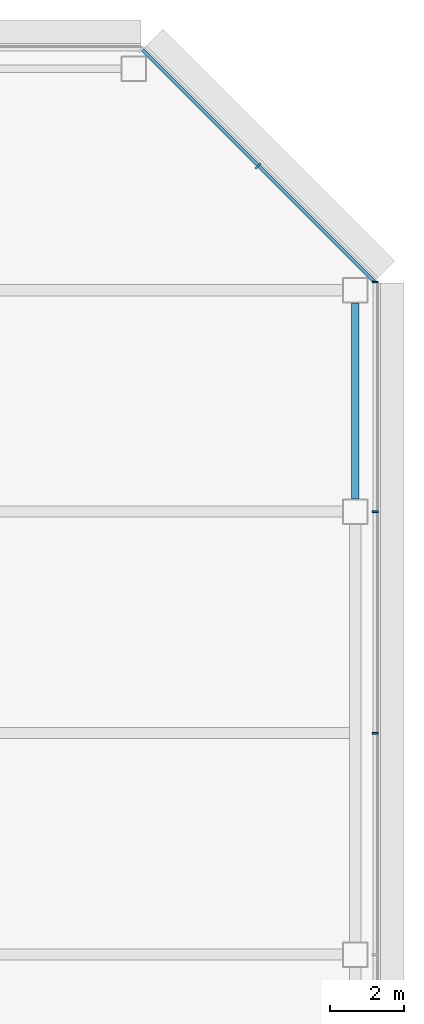
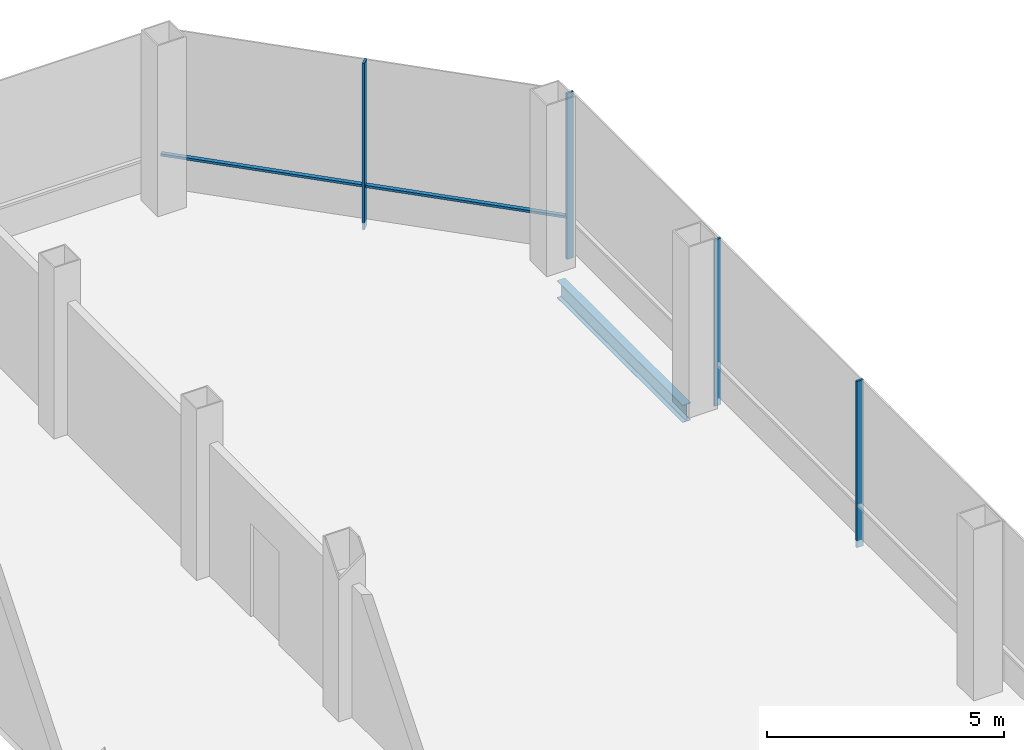
# One storey, part 17 of 26: 5 members, 1 beam, 2 elements without a shape of their own.
"""IFC4 building model written with IfcOpenShell, lengths in metres."""

from ifc_helpers import new_model, si_unit, direction, frame, origin, origin_2d, place, context, subcontext, project, spatial, rectangle, i_section, extrude, material, material_profile, profile_set, type_object, element, aggregate, save


model = new_model("IFC4")

# Units and contexts
model_context = context("Model", 3, precision=1e-05, world=origin(), true_north=direction((0.0, 1.0)))
body_context = subcontext(model_context, "Body", "Model", "MODEL_VIEW")
ifc_project = project(units=[si_unit("LENGTHUNIT", "METRE"), si_unit("AREAUNIT", "SQUARE_METRE"), si_unit("VOLUMEUNIT", "CUBIC_METRE"), si_unit("PLANEANGLEUNIT", "RADIAN"), si_unit("MASSUNIT", "GRAM", prefix="KILO")], contexts=[model_context])

# Site, building, storey
site_placement = place(None, origin())
site = spatial("IfcSite", under=ifc_project, at=site_placement, CompositionType="ELEMENT")
building_placement = place(site_placement, origin())
building = spatial("IfcBuilding", under=site, at=building_placement, Name="Sorahane Residences", CompositionType="ELEMENT")
storey_placement = place(building_placement, frame((0.0, 0.0, 181.60009765625)))
storey = spatial("IfcBuildingStorey", under=building, at=storey_placement, Name="L42", CompositionType="ELEMENT", Elevation=181.60009765625)

# Curtain wall, members
ifc_material_1 = material(Name="Dark low-e glass and black anodised aluminium", Category="aluminium")
curtain_wall_type_1 = type_object("IfcCurtainWallType", Name="Curtain wall CW-1 Typical unitised wall", PredefinedType="NOTDEFINED", material=ifc_material_1)
curtain_wall_1_placement = place(storey_placement, origin())
curtain_wall_1 = element("IfcCurtainWall", 1, at=curtain_wall_1_placement, inside=storey, type_object=curtain_wall_type_1, Name="CW-1 curtain wall L42 E1", PredefinedType="NOTDEFINED")
ifc_material_2 = material(Name="Black anodised aluminium", Category="aluminium")
ifc_material_profile_1 = material_profile(ifc_material_2, rectangle(XDim=0.159912109375, YDim=0.050048828125, at=origin_2d()), Name="Curtain wall mullion CW-1 black anodised aluminium 50x160")
ifc_profile_set_1 = profile_set([ifc_material_profile_1], Name="Black anodised aluminium")
member_type_1 = type_object("IfcMemberType", Name="Curtain wall mullion CW-1 black anodised aluminium 50x160", PredefinedType="MULLION", material=ifc_profile_set_1)
member_1_placement = place(storey_placement, frame((60.5400390625, 30.0, -0.18017578125), z_axis=(0.0, 0.0, 1.0), x_axis=(1.0, 0.0, 0.0)))
member_1 = element("IfcMember", 2, at=member_1_placement, type_object=member_type_1, Name="CW-1 mullion L42 E1.5", PredefinedType="MULLION", context=body_context, shape_type="SweptSolid", body=[
    extrude(rectangle(XDim=0.159912109375, YDim=0.050048828125, at=origin_2d()), origin(), (0.0, 0.0, 1.0), 4.280029296875),
])
member_2_placement = place(storey_placement, frame((60.5400390625, 36.0, -0.18017578125), z_axis=(0.0, 0.0, 1.0), x_axis=(1.0, 0.0, 0.0)))
member_2 = element("IfcMember", 3, at=member_2_placement, type_object=member_type_1, Name="CW-1 mullion L42 E1.6", PredefinedType="MULLION", context=body_context, shape_type="SweptSolid", body=[
    extrude(rectangle(XDim=0.159912109375, YDim=0.050048828125, at=origin_2d()), origin(), (0.0, 0.0, 1.0), 4.280029296875),
])
member_3_placement = place(storey_placement, frame((60.5400390625, 42.2236328125, -0.18017578125), z_axis=(0.0, 0.0, 1.0), x_axis=(1.0, 0.0, 0.0)))
member_3 = element("IfcMember", 4, at=member_3_placement, type_object=member_type_1, Name="CW-1 mullion L42 E1.7", PredefinedType="MULLION", context=body_context, shape_type="SweptSolid", body=[
    extrude(rectangle(XDim=0.159912109375, YDim=0.050048828125, at=origin_2d()), origin(), (0.0, 0.0, 1.0), 4.280029296875),
])
aggregate(curtain_wall_1, [member_1, member_2, member_3])

ifc_material_3 = material(Name="Dark low-e glass and black anodised aluminium", Category="aluminium")
curtain_wall_type_2 = type_object("IfcCurtainWallType", Name="Curtain wall CW-2 Chamfer unitised wall", PredefinedType="NOTDEFINED", material=ifc_material_3)
curtain_wall_2_placement = place(storey_placement, origin())
curtain_wall_2 = element("IfcCurtainWall", 5, at=curtain_wall_2_placement, inside=storey, type_object=curtain_wall_type_2, Name="CW-2 curtain wall L42 NE1", PredefinedType="NOTDEFINED")
ifc_material_4 = material(Name="Black anodised aluminium", Category="aluminium")
ifc_material_profile_2 = material_profile(ifc_material_4, rectangle(XDim=0.199951171875, YDim=0.050048828125, at=origin_2d()), Name="Curtain wall mullion CW-2 black anodised aluminium 50x200")
ifc_profile_set_2 = profile_set([ifc_material_profile_2], Name="Black anodised aluminium")
member_type_2 = type_object("IfcMemberType", Name="Curtain wall mullion CW-2 black anodised aluminium 50x200", PredefinedType="MULLION", material=ifc_profile_set_2)
member_4_placement = place(storey_placement, frame((57.36767578125, 45.36767578125, -0.18017578125), z_axis=(0.0, 0.0, 1.0), x_axis=(0.707106781187, 0.707106781187, 0.0)))
member_4 = element("IfcMember", 6, at=member_4_placement, type_object=member_type_2, Name="CW-2 mullion L42 NE1.2", PredefinedType="MULLION", context=body_context, shape_type="SweptSolid", body=[
    extrude(rectangle(XDim=0.199951171875, YDim=0.050048828125, at=origin_2d()), origin(), (0.0, 0.0, 1.0), 4.280029296875),
])
ifc_material_5 = material(Name="Black anodised aluminium", Category="aluminium")
ifc_material_profile_3 = material_profile(ifc_material_5, rectangle(XDim=0.10009765625, YDim=0.06005859375, at=origin_2d()), Name="Curtain wall transom CW-2 black anodised aluminium 60x100")
ifc_profile_set_3 = profile_set([ifc_material_profile_3], Name="Black anodised aluminium")
member_type_3 = type_object("IfcMemberType", Name="Curtain wall transom CW-2 black anodised aluminium 60x100", PredefinedType="USERDEFINED", material=ifc_profile_set_3)
member_5_placement = place(storey_placement, frame((60.51513671875, 42.234375, 0.89990234375), z_axis=(-0.707106781187, 0.707106781187, 0.0), x_axis=(-0.707106781187, -0.707106781187, 0.0)))
member_5 = element("IfcMember", 7, at=member_5_placement, type_object=member_type_3, Name="CW-2 transom L42 NE1", ObjectType="TRANSOM", PredefinedType="USERDEFINED", context=body_context, shape_type="SweptSolid", body=[
    extrude(rectangle(XDim=0.10009765625, YDim=0.06005859375, at=origin_2d()), origin(), (0.0, 0.0, 1.0), 8.88232421875),
])
aggregate(curtain_wall_2, [member_4, member_5])

# Beam
ifc_material_6 = material(Name="Steel Q355B", Category="steel")
ifc_material_profile_4 = material_profile(ifc_material_6, i_section(OverallWidth=0.199951171875, OverallDepth=0.449951171875, WebThickness=0.009033203125, FlangeThickness=0.013916015625, FilletRadius=0.02001953125, at=origin_2d()), Name="HN 450x200x9x14")
ifc_profile_set_4 = profile_set([ifc_material_profile_4], Name="Steel Q355B")
beam_type = type_object("IfcBeamType", Name="Steel floor beam HN 450x200x9x14 Q355B", PredefinedType="BEAM", material=ifc_profile_set_4)
beam_placement = place(storey_placement, frame((60.0, 36.35009765625, -0.405029296875), z_axis=(0.0, 1.0, 0.0), x_axis=(-1.0, 0.0, 0.0)))
element("IfcBeam", 8, at=beam_placement, inside=storey, type_object=beam_type, Name="Beam L42 067", PredefinedType="BEAM", context=body_context, shape_type="SweptSolid", body=[
    extrude(i_section(OverallWidth=0.199951171875, OverallDepth=0.449951171875, WebThickness=0.009033203125, FlangeThickness=0.013916015625, FilletRadius=0.02001953125, at=origin_2d()), origin(), (0.0, 0.0, 1.0), 5.2998046875),
])

save(model, "model.ifc")
